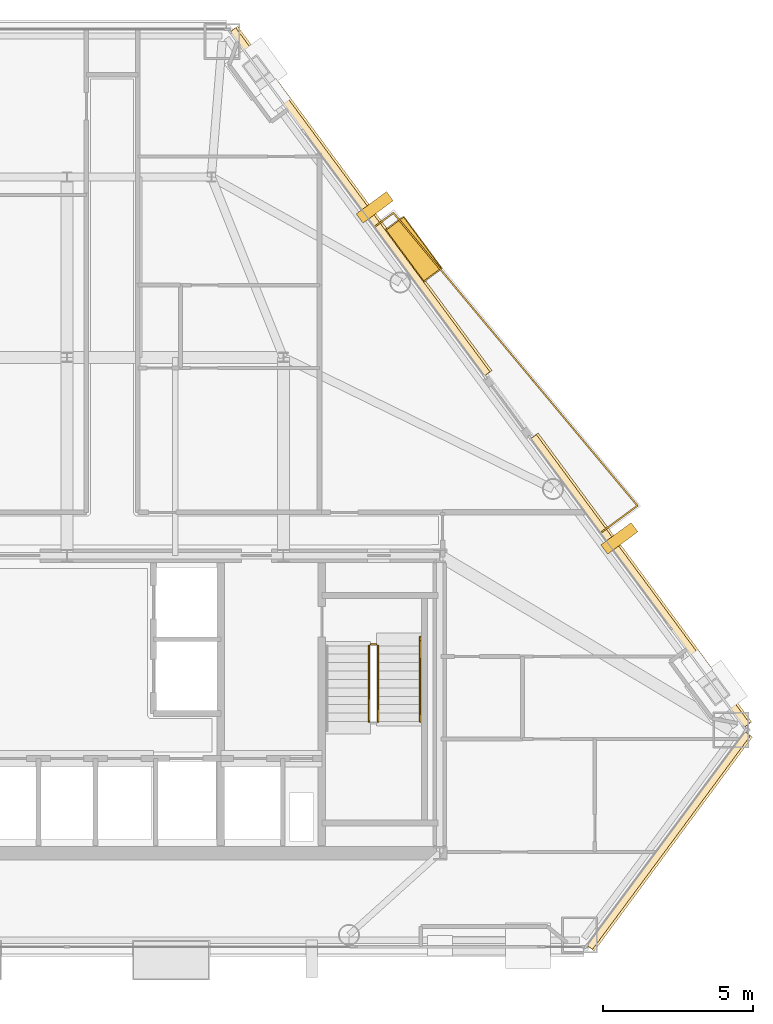
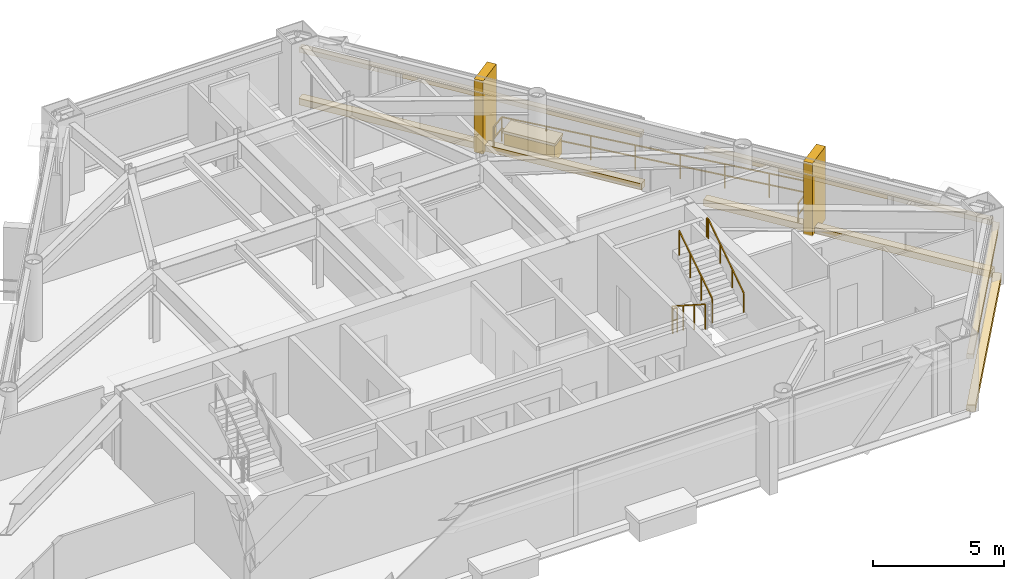
# One storey, part 11 of 11: 10 coverings, 5 railings.
"""IFC4 building model written with IfcOpenShell, lengths in metres."""

from ifc_helpers import new_model, si_unit, direction, frame, origin, origin_2d, place, context, subcontext, project, spatial, rectangle, extrude, material, layer, layer_set, type_object, element, save


model = new_model("IFC4")

# Units and contexts
model_context = context("Model", 3, precision=1e-05, world=origin(), true_north=direction((0.0, 1.0)))
body_context = subcontext(model_context, "Body", "Model", "MODEL_VIEW")
ifc_project = project(units=[si_unit("LENGTHUNIT", "METRE"), si_unit("AREAUNIT", "SQUARE_METRE"), si_unit("VOLUMEUNIT", "CUBIC_METRE"), si_unit("PLANEANGLEUNIT", "RADIAN"), si_unit("MASSUNIT", "GRAM", prefix="KILO")], contexts=[model_context])

# Site, building, storey
site_placement = place(None, origin())
site = spatial("IfcSite", under=ifc_project, at=site_placement, CompositionType="ELEMENT")
building_placement = place(site_placement, origin())
building = spatial("IfcBuilding", under=site, at=building_placement, Name="Talgorran Terracotta Tower", CompositionType="ELEMENT")
storey_placement = place(building_placement, frame((0.0, 0.0, 129.300048828125)))
storey = spatial("IfcBuildingStorey", under=building, at=storey_placement, Name="L33", CompositionType="ELEMENT", Elevation=129.300048828125)

# Coverings
ifc_material_1 = material(Name="Kiln-Fired Terracotta Ochre Ceramic", Category="masonry")
ifc_layer_1 = layer(ifc_material_1, 0.179931640625, Name="COV_BAGUETTE_TERRACOTTA_SCREEN")
ifc_layer_set_1 = layer_set([ifc_layer_1], Name="Kiln-Fired Terracotta Ochre Ceramic")
covering_type_1 = type_object("IfcCoveringType", Name="COV_BAGUETTE_TERRACOTTA_SCREEN", PredefinedType="CLADDING", material=ifc_layer_set_1)
covering_1_placement = place(storey_placement, frame((20.006591796875, -13.6689453125, 2.41015625), z_axis=(0.0, 0.0, 1.0), x_axis=(0.594359699802, 0.804199320598, 0.0)))
element("IfcCovering", 1, at=covering_1_placement, inside=storey, type_object=covering_type_1, Name="L33 Terracotta Baguette Solar Screen Assembly F2", PredefinedType="CLADDING", context=body_context, shape_type="SweptSolid", body=[
    extrude(rectangle(XDim=8.836181640625, YDim=0.260009765625, at=origin_2d()), origin(), (0.0, 0.0, 1.0), 0.219970703125),
])
covering_2_placement = place(storey_placement, frame((19.060546875, -5.05126953125, 2.41015625), z_axis=(0.0, 0.0, 1.0), x_axis=(-0.594359699802, 0.804199320598, 0.0)))
element("IfcCovering", 2, at=covering_2_placement, inside=storey, type_object=covering_type_1, Name="L33 Terracotta Baguette Solar Screen Assembly F40", PredefinedType="CLADDING", context=body_context, shape_type="SweptSolid", body=[
    extrude(rectangle(XDim=11.939697265625, YDim=0.260009765625, at=origin_2d()), origin(), (0.0, 0.0, 1.0), 0.219970703125),
])
covering_3_placement = place(storey_placement, frame((9.738037109375, 7.5625, 2.41015625), z_axis=(0.0, 0.0, 1.0), x_axis=(-0.594359699802, 0.804199320598, 0.0)))
element("IfcCovering", 3, at=covering_3_placement, inside=storey, type_object=covering_type_1, Name="L33 Terracotta Baguette Solar Screen Assembly F41", PredefinedType="CLADDING", context=body_context, shape_type="SweptSolid", body=[
    extrude(rectangle(XDim=14.230224609375, YDim=0.260009765625, at=origin_2d()), origin(), (0.0, 0.0, 1.0), 0.219970703125),
])
ifc_material_2 = material(Name="Honed Limestone and Terracotta Planter", Category="masonry")
ifc_layer_2 = layer(ifc_material_2, 0.1201171875, Name="COV_PLANTER_BOX")
ifc_layer_set_2 = layer_set([ifc_layer_2], Name="Honed Limestone and Terracotta Planter")
covering_type_2 = type_object("IfcCoveringType", Name="COV_PLANTER_BOX", PredefinedType="CLADDING", material=ifc_layer_set_2)
covering_4_placement = place(storey_placement, frame((11.536376953125, 6.002685546875, -0.02001953125), z_axis=(0.0, 0.0, 1.0), x_axis=(-0.594359699802, 0.804199320598, 0.0)))
element("IfcCovering", 4, at=covering_4_placement, inside=storey, type_object=covering_type_2, Name="L33 Staggered Balcony Planter Box BAL-NE", PredefinedType="CLADDING", context=body_context, shape_type="SweptSolid", body=[
    extrude(rectangle(XDim=2.10009765625, YDim=0.719970703125, at=origin_2d()), origin(), (0.0, 0.0, 1.0), 0.860107421875),
])
ifc_material_3 = material(Name="Kiln-Fired Terracotta Planter Rim", Category="masonry")
ifc_layer_3 = layer(ifc_material_3, 0.10009765625, Name="COV_PLANTER_RIM")
ifc_layer_set_3 = layer_set([ifc_layer_3], Name="Kiln-Fired Terracotta Planter Rim")
covering_type_3 = type_object("IfcCoveringType", Name="COV_PLANTER_RIM", PredefinedType="CLADDING", material=ifc_layer_set_3)
covering_5_placement = place(storey_placement, frame((11.536376953125, 6.002685546875, 0.7998046875), z_axis=(0.0, 0.0, 1.0), x_axis=(-0.594359699802, 0.804199320598, 0.0)))
element("IfcCovering", 5, at=covering_5_placement, inside=storey, type_object=covering_type_3, Name="L33 Balcony Planter Terracotta Rim BAL-NE", PredefinedType="CLADDING", context=body_context, shape_type="SweptSolid", body=[
    extrude(rectangle(XDim=2.179931640625, YDim=0.780029296875, at=origin_2d()), origin(), (0.0, 0.0, 1.0), 0.1201171875),
])
ifc_material_4 = material(Name="Honed Limestone Cladding", Category="masonry")
ifc_layer_4 = layer(ifc_material_4, 0.094970703125, Name="COV_PORTAL_LIME")
ifc_layer_set_4 = layer_set([ifc_layer_4], Name="Honed Limestone Cladding")
covering_type_4 = type_object("IfcCoveringType", Name="COV_PORTAL_LIME", PredefinedType="CLADDING", material=ifc_layer_set_4)
covering_6_placement = place(storey_placement, frame((18.37841796875, -3.623779296875, -0.050048828125), z_axis=(0.0, 0.0, 1.0), x_axis=(-0.594359699802, 0.804199320598, 0.0)))
element("IfcCovering", 6, at=covering_6_placement, inside=storey, type_object=covering_type_4, Name="L33 White Striped Portal Fin F3-1", PredefinedType="CLADDING", context=body_context, shape_type="SweptSolid", body=[
    extrude(rectangle(XDim=0.3798828125, YDim=1.25, at=origin_2d()), origin(), (0.0, 0.0, 1.0), 3.39990234375),
])
ifc_material_5 = material(Name="Kiln-Fired Terracotta Cladding", Category="masonry")
ifc_layer_5 = layer(ifc_material_5, 0.090087890625, Name="COV_PORTAL_TERRA")
ifc_layer_set_5 = layer_set([ifc_layer_5], Name="Kiln-Fired Terracotta Cladding")
covering_type_5 = type_object("IfcCoveringType", Name="COV_PORTAL_TERRA", PredefinedType="CLADDING", material=ifc_layer_set_5)
covering_7_placement = place(storey_placement, frame((20.038818359375, -13.69287109375, -0.0400390625), z_axis=(0.0, 0.0, 1.0), x_axis=(0.594359699802, 0.804199320598, 0.0)))
element("IfcCovering", 7, at=covering_7_placement, inside=storey, type_object=covering_type_5, Name="L33 Striped Postmodern Portal Cladding Band F2", PredefinedType="CLADDING", context=body_context, shape_type="SweptSolid", body=[
    extrude(rectangle(XDim=8.856201171875, YDim=0.340087890625, at=origin_2d()), origin(), (0.0, 0.0, 1.0), 0.300048828125),
])
covering_8_placement = place(storey_placement, frame((19.0927734375, -5.027587890625, -0.0400390625), z_axis=(0.0, 0.0, 1.0), x_axis=(-0.594359699802, 0.804199320598, 0.0)))
element("IfcCovering", 8, at=covering_8_placement, inside=storey, type_object=covering_type_5, Name="L33 Striped Postmodern Portal Cladding Band F40", PredefinedType="CLADDING", context=body_context, shape_type="SweptSolid", body=[
    extrude(rectangle(XDim=11.959716796875, YDim=0.340087890625, at=origin_2d()), origin(), (0.0, 0.0, 1.0), 0.300048828125),
])
covering_9_placement = place(storey_placement, frame((9.770263671875, 7.586181640625, -0.0400390625), z_axis=(0.0, 0.0, 1.0), x_axis=(-0.594359699802, 0.804199320598, 0.0)))
element("IfcCovering", 9, at=covering_9_placement, inside=storey, type_object=covering_type_5, Name="L33 Striped Postmodern Portal Cladding Band F41", PredefinedType="CLADDING", context=body_context, shape_type="SweptSolid", body=[
    extrude(rectangle(XDim=14.250244140625, YDim=0.340087890625, at=origin_2d()), origin(), (0.0, 0.0, 1.0), 0.300048828125),
])
covering_10_placement = place(storey_placement, frame((10.238525390625, 7.389892578125, -0.050048828125), z_axis=(0.0, 0.0, 1.0), x_axis=(-0.594359699802, 0.804199320598, 0.0)))
element("IfcCovering", 10, at=covering_10_placement, inside=storey, type_object=covering_type_5, Name="L33 Terracotta Striped Portal Fin F3-2", PredefinedType="CLADDING", context=body_context, shape_type="SweptSolid", body=[
    extrude(rectangle(XDim=0.3798828125, YDim=1.25, at=origin_2d()), origin(), (0.0, 0.0, 1.0), 3.39990234375),
])

# Railings
ifc_material_6 = material(Name="Laminated Glass and Stainless Steel 316", Category="steel")
railing_type_1 = type_object("IfcRailingType", Name="RL_BALCONY_1150", PredefinedType="BALUSTRADE", material=ifc_material_6)
railing_1_placement = place(storey_placement, frame((17.765625, -3.433837890625, 0.0)))
element("IfcRailing", 11, at=railing_1_placement, inside=storey, type_object=railing_type_1, Name="RL-L33-BAL-BAL-NE", PredefinedType="BALUSTRADE", context=body_context, shape_type="SweptSolid", body=[
    extrude(rectangle(XDim=0.048095703125, YDim=0.048095703125, at=origin_2d()), frame((0.0, 0.0, 1.1259765625), z_axis=(0.804250092073, 0.59429099724, 0.0), x_axis=(-0.59429099724, 0.804250092073, 0.0)), (0.0, 0.0, 1.0), 1.50927734375),
    extrude(rectangle(XDim=0.048095703125, YDim=0.048095703125, at=origin_2d()), frame((0.0, 0.0, 0.597900390625), z_axis=(0.804250092073, 0.59429099724, 0.0), x_axis=(-0.59429099724, 0.804250092073, 0.0)), (0.0, 0.0, 1.0), 1.50927734375),
    extrude(rectangle(XDim=0.048095703125, YDim=0.048095703125, at=origin_2d()), frame((1.2138671875, 0.89697265625, 1.1259765625), z_axis=(-0.640315034487, 0.768112398422, 0.0), x_axis=(-0.768112398422, -0.640315034487, 0.0)), (0.0, 0.0, 1.0), 12.682861328125),
    extrude(rectangle(XDim=0.048095703125, YDim=0.048095703125, at=origin_2d()), frame((1.2138671875, 0.89697265625, 0.597900390625), z_axis=(-0.640315034487, 0.768112398422, 0.0), x_axis=(-0.768112398422, -0.640315034487, 0.0)), (0.0, 0.0, 1.0), 12.682861328125),
    extrude(rectangle(XDim=0.048095703125, YDim=0.048095703125, at=origin_2d()), frame((-6.9072265625, 10.638916015625, 1.1259765625), z_axis=(-0.804248748568, -0.594292815392, 0.0), x_axis=(0.594292815392, -0.804248748568, 0.0)), (0.0, 0.0, 1.0), 0.7685546875),
    extrude(rectangle(XDim=0.048095703125, YDim=0.048095703125, at=origin_2d()), frame((-6.9072265625, 10.638916015625, 0.597900390625), z_axis=(-0.804248748568, -0.594292815392, 0.0), x_axis=(0.594292815392, -0.804248748568, 0.0)), (0.0, 0.0, 1.0), 0.7685546875),
    extrude(rectangle(XDim=0.0419921875, YDim=0.0419921875, at=origin_2d()), origin(), (0.0, 0.0, 1.0), 1.101806640625),
    extrude(rectangle(XDim=0.0419921875, YDim=0.0419921875, at=origin_2d()), frame((1.2138671875, 0.89697265625, 0.0)), (0.0, 0.0, 1.0), 1.101806640625),
    extrude(rectangle(XDim=0.0419921875, YDim=0.0419921875, at=origin_2d()), frame((0.0537109375, 2.28857421875, 0.0)), (0.0, 0.0, 1.0), 1.101806640625),
    extrude(rectangle(XDim=0.0419921875, YDim=0.0419921875, at=origin_2d()), frame((-1.1064453125, 3.680419921875, 0.0)), (0.0, 0.0, 1.0), 1.101806640625),
    extrude(rectangle(XDim=0.0419921875, YDim=0.0419921875, at=origin_2d()), frame((-2.2666015625, 5.072021484375, 0.0)), (0.0, 0.0, 1.0), 1.101806640625),
    extrude(rectangle(XDim=0.0419921875, YDim=0.0419921875, at=origin_2d()), frame((-3.4267578125, 6.4638671875, 0.0)), (0.0, 0.0, 1.0), 1.101806640625),
    extrude(rectangle(XDim=0.0419921875, YDim=0.0419921875, at=origin_2d()), frame((-4.5869140625, 7.85546875, 0.0)), (0.0, 0.0, 1.0), 1.101806640625),
    extrude(rectangle(XDim=0.0419921875, YDim=0.0419921875, at=origin_2d()), frame((-5.7470703125, 9.247314453125, 0.0)), (0.0, 0.0, 1.0), 1.101806640625),
    extrude(rectangle(XDim=0.0419921875, YDim=0.0419921875, at=origin_2d()), frame((-6.9072265625, 10.638916015625, 0.0)), (0.0, 0.0, 1.0), 1.101806640625),
    extrude(rectangle(XDim=0.0419921875, YDim=0.0419921875, at=origin_2d()), frame((-7.525390625, 10.18212890625, 0.0)), (0.0, 0.0, 1.0), 1.101806640625),
])
ifc_material_7 = material(Name="Steel S355 (300PLUS)", Category="steel")
railing_type_2 = type_object("IfcRailingType", Name="RL_HANDRAIL_920", PredefinedType="HANDRAIL", material=ifc_material_7)
railing_2_placement = place(storey_placement, frame((11.75, -9.719970703125, 1.97998046875)))
element("IfcRailing", 12, at=railing_2_placement, inside=storey, type_object=railing_type_2, Name="L33 ST-02 stair handrail 2", PredefinedType="HANDRAIL", context=body_context, shape_type="SweptSolid", body=[
    extrude(rectangle(XDim=0.048095703125, YDim=0.048095703125, at=origin_2d()), frame((0.0, 0.0, 0.89599609375), z_axis=(0.0, 0.832038719335, 0.554717558338), x_axis=(-1.0, 0.0, 0.0)), (0.0, 0.0, 1.0), 3.244873046875),
    extrude(rectangle(XDim=0.048095703125, YDim=0.048095703125, at=origin_2d()), frame((0.0, 2.699951171875, 2.69580078125), z_axis=(0.0, 1.0, 0.0), x_axis=(-1.0, 0.0, 0.0)), (0.0, 0.0, 1.0), 0.1201171875),
    extrude(rectangle(XDim=0.0419921875, YDim=0.0419921875, at=origin_2d()), origin(), (0.0, 0.0, 1.0), 0.871826171875),
    extrude(rectangle(XDim=0.0419921875, YDim=0.0419921875, at=origin_2d()), frame((0.0, 0.89990234375, 0.60009765625)), (0.0, 0.0, 1.0), 0.871826171875),
    extrude(rectangle(XDim=0.0419921875, YDim=0.0419921875, at=origin_2d()), frame((0.0, 1.800048828125, 1.199951171875)), (0.0, 0.0, 1.0), 0.871826171875),
    extrude(rectangle(XDim=0.0419921875, YDim=0.0419921875, at=origin_2d()), frame((0.0, 2.699951171875, 1.800048828125)), (0.0, 0.0, 1.0), 0.871826171875),
    extrude(rectangle(XDim=0.0419921875, YDim=0.0419921875, at=origin_2d()), frame((0.0, 2.820068359375, 1.800048828125)), (0.0, 0.0, 1.0), 0.871826171875),
])
railing_type_3 = type_object("IfcRailingType", Name="RL_STAIR_GUARD", PredefinedType="GUARDRAIL", material=ifc_material_7)
railing_3_placement = place(storey_placement, frame((10.050048828125, -7.199951171875, 0.179931640625)))
element("IfcRailing", 13, at=railing_3_placement, inside=storey, type_object=railing_type_3, Name="L33 ST-02 stair guard 1", PredefinedType="GUARDRAIL", context=body_context, shape_type="SweptSolid", body=[
    extrude(rectangle(XDim=0.048095703125, YDim=0.048095703125, at=origin_2d()), frame((0.0, 0.0, 1.15576171875), z_axis=(0.0, -0.841162588446, 0.540782303519), x_axis=(1.0, 0.0, 0.0)), (0.0, 0.0, 1.0), 2.995849609375),
    extrude(rectangle(XDim=0.0419921875, YDim=0.0419921875, at=origin_2d()), origin(), (0.0, 0.0, 1.0), 1.1318359375),
    extrude(rectangle(XDim=0.0419921875, YDim=0.0419921875, at=origin_2d()), frame((0.0, -0.840087890625, 0.5400390625)), (0.0, 0.0, 1.0), 1.1318359375),
    extrude(rectangle(XDim=0.0419921875, YDim=0.0419921875, at=origin_2d()), frame((0.0, -1.679931640625, 1.080078125)), (0.0, 0.0, 1.0), 1.1318359375),
    extrude(rectangle(XDim=0.0419921875, YDim=0.0419921875, at=origin_2d()), frame((0.0, -2.52001953125, 1.6201171875)), (0.0, 0.0, 1.0), 1.1318359375),
])
railing_4_placement = place(storey_placement, frame((10.35009765625, -9.719970703125, 1.97998046875)))
element("IfcRailing", 14, at=railing_4_placement, inside=storey, type_object=railing_type_3, Name="L33 ST-02 stair guard 3", PredefinedType="GUARDRAIL", context=body_context, shape_type="SweptSolid", body=[
    extrude(rectangle(XDim=0.048095703125, YDim=0.048095703125, at=origin_2d()), frame((0.0, 0.0, 1.15576171875), z_axis=(0.0, 0.841199657755, 0.540724639528), x_axis=(-1.0, 0.0, 0.0)), (0.0, 0.0, 1.0), 2.995849609375),
    extrude(rectangle(XDim=0.0419921875, YDim=0.0419921875, at=origin_2d()), origin(), (0.0, 0.0, 1.0), 1.1318359375),
    extrude(rectangle(XDim=0.0419921875, YDim=0.0419921875, at=origin_2d()), frame((0.0, 0.840087890625, 0.5400390625)), (0.0, 0.0, 1.0), 1.1318359375),
    extrude(rectangle(XDim=0.0419921875, YDim=0.0419921875, at=origin_2d()), frame((0.0, 1.679931640625, 1.079833984375)), (0.0, 0.0, 1.0), 1.1318359375),
    extrude(rectangle(XDim=0.0419921875, YDim=0.0419921875, at=origin_2d()), frame((0.0, 2.52001953125, 1.619873046875)), (0.0, 0.0, 1.0), 1.1318359375),
])
railing_5_placement = place(storey_placement, frame((10.10009765625, -7.14990234375, 0.0)))
element("IfcRailing", 15, at=railing_5_placement, inside=storey, type_object=railing_type_3, Name="L33 ST-02 stair guard 4", PredefinedType="GUARDRAIL", context=body_context, shape_type="SweptSolid", body=[
    extrude(rectangle(XDim=0.048095703125, YDim=0.048095703125, at=origin_2d()), frame((0.0, 0.0, 1.15576171875), z_axis=(1.0, 0.0, 0.0), x_axis=(0.0, 1.0, 0.0)), (0.0, 0.0, 1.0), 0.199951171875),
    extrude(rectangle(XDim=0.048095703125, YDim=0.048095703125, at=origin_2d()), frame((0.0, 0.0, 0.613525390625), z_axis=(1.0, 0.0, 0.0), x_axis=(0.0, 1.0, 0.0)), (0.0, 0.0, 1.0), 0.199951171875),
    extrude(rectangle(XDim=0.0419921875, YDim=0.0419921875, at=origin_2d()), origin(), (0.0, 0.0, 1.0), 1.1318359375),
    extrude(rectangle(XDim=0.0419921875, YDim=0.0419921875, at=origin_2d()), frame((0.199951171875, 0.0, 0.0)), (0.0, 0.0, 1.0), 1.1318359375),
])

save(model, "model.ifc")
